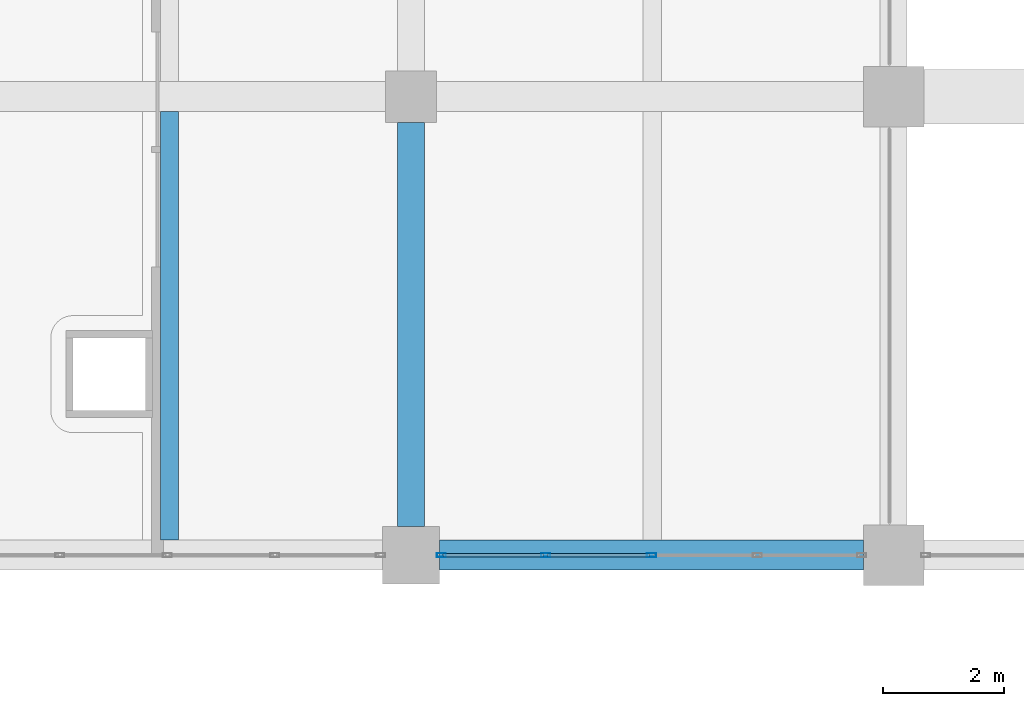
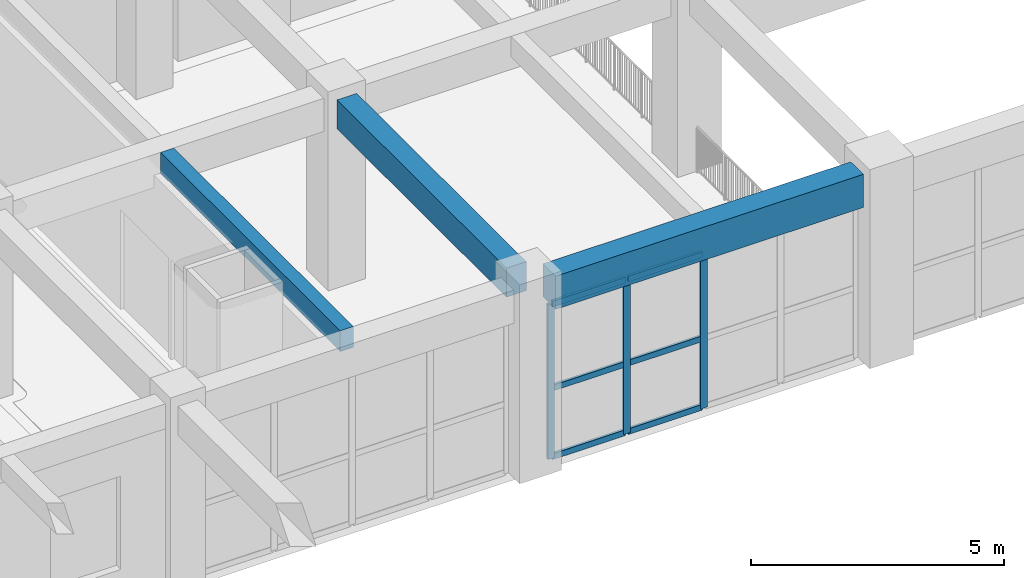
# One storey, part 8 of 101: 9 members, 3 beams, 1 element without a shape of its own.
"""IFC4 building model written with IfcOpenShell, lengths in metres."""

from ifc_helpers import new_model, si_unit, direction, frame, origin, origin_2d, place, context, subcontext, project, spatial, rectangle, hollow_rectangle, extrude, material, material_profile, profile_set, type_object, element, aggregate, save


model = new_model("IFC4")

# Units and contexts
model_context = context("Model", 3, precision=1e-05, world=origin(), true_north=direction((0.0, 1.0)))
body_context = subcontext(model_context, "Body", "Model", "MODEL_VIEW")
ifc_project = project(units=[si_unit("LENGTHUNIT", "METRE"), si_unit("AREAUNIT", "SQUARE_METRE"), si_unit("VOLUMEUNIT", "CUBIC_METRE"), si_unit("PLANEANGLEUNIT", "RADIAN"), si_unit("MASSUNIT", "GRAM", prefix="KILO")], contexts=[model_context])

# Site, building, storey
site_placement = place(None, origin())
site = spatial("IfcSite", under=ifc_project, at=site_placement, CompositionType="ELEMENT")
building_placement = place(site_placement, origin())
building = spatial("IfcBuilding", under=site, at=building_placement, Name="Zantavel Square City Hall", CompositionType="ELEMENT")
storey_placement = place(building_placement, frame((0.0, 0.0, 5.39990234375)))
storey = spatial("IfcBuildingStorey", under=building, at=storey_placement, Name="L02", CompositionType="ELEMENT", Elevation=5.39990234375)

# Curtain wall, members
ifc_material_1 = material(Name="Anodised aluminium 6063-T6", Category="aluminium")
curtain_wall_type = type_object("IfcCurtainWallType", Name="Curtain Wall TRV1 7025x3740", PredefinedType="USERDEFINED", material=ifc_material_1)
curtain_wall_placement = place(storey_placement, origin())
curtain_wall = element("IfcCurtainWall", 1, at=curtain_wall_placement, inside=storey, type_object=curtain_wall_type, Name="L02 Glazed Curtain Wall CW-L02-049", ObjectType="GLAZED CURTAIN WALL", PredefinedType="USERDEFINED")
ifc_material_profile_1 = material_profile(ifc_material_1, hollow_rectangle(XDim=0.06494140625, YDim=0.14990234375, WallThickness=0.00390625, at=origin_2d()), Name="ALU 65x150x4")
ifc_profile_set_1 = profile_set([ifc_material_profile_1], Name="Anodised aluminium 6063-T6")
member_type_1 = type_object("IfcMemberType", Name="CW Mullion ALU 65x150x4", PredefinedType="MULLION", material=ifc_profile_set_1)
member_1_placement = place(storey_placement, frame((67.987548828125, 30.39990234375, 0.0), z_axis=(0.0, 0.0, 1.0), x_axis=(0.0, -1.0, 0.0)))
member_1 = element("IfcMember", 2, at=member_1_placement, type_object=member_type_1, Name="CW-049 mullion 3", PredefinedType="MULLION", context=body_context, shape_type="SweptSolid", body=[
    extrude(hollow_rectangle(XDim=0.06494140625, YDim=0.14990234375, WallThickness=0.00390625, at=origin_2d()), origin(), (0.0, 0.0, 1.0), 3.739990234375),
])
member_2_placement = place(storey_placement, frame((66.231201171875, 30.39990234375, 0.0), z_axis=(0.0, 0.0, 1.0), x_axis=(0.0, -1.0, 0.0)))
member_2 = element("IfcMember", 3, at=member_2_placement, type_object=member_type_1, Name="CW-049 mullion 4", PredefinedType="MULLION", context=body_context, shape_type="SweptSolid", body=[
    extrude(hollow_rectangle(XDim=0.06494140625, YDim=0.14990234375, WallThickness=0.00390625, at=origin_2d()), origin(), (0.0, 0.0, 1.0), 3.739990234375),
])
member_3_placement = place(storey_placement, frame((64.5048828125, 30.39990234375, 0.0), z_axis=(0.0, 0.0, 1.0), x_axis=(0.0, -1.0, 0.0)))
member_3 = element("IfcMember", 4, at=member_3_placement, type_object=member_type_1, Name="CW-049 mullion 5", PredefinedType="MULLION", context=body_context, shape_type="SweptSolid", body=[
    extrude(hollow_rectangle(XDim=0.06494140625, YDim=0.14990234375, WallThickness=0.00390625, at=origin_2d()), origin(), (0.0, 0.0, 1.0), 3.739990234375),
])
ifc_material_profile_2 = material_profile(ifc_material_1, hollow_rectangle(XDim=0.06005859375, YDim=0.139892578125, WallThickness=0.00390625, at=origin_2d()), Name="ALU 60x140x4")
ifc_profile_set_2 = profile_set([ifc_material_profile_2], Name="Anodised aluminium 6063-T6")
member_type_2 = type_object("IfcMemberType", Name="CW Transom ALU 60x140x4", PredefinedType="USERDEFINED", material=ifc_profile_set_2)
member_4_placement = place(storey_placement, frame((67.95751953125, 30.39990234375, 0.030029296875), z_axis=(-1.0, 0.0, 0.0), x_axis=(0.0, -1.0, 0.0)))
member_4 = element("IfcMember", 5, at=member_4_placement, type_object=member_type_2, Name="CW-049 transom 3.1", ObjectType="TRANSOM", PredefinedType="USERDEFINED", context=body_context, shape_type="SweptSolid", body=[
    extrude(hollow_rectangle(XDim=0.06005859375, YDim=0.139892578125, WallThickness=0.00390625, at=origin_2d()), origin(), (0.0, 0.0, 1.0), 1.6962890625),
])
member_5_placement = place(storey_placement, frame((67.95751953125, 30.39990234375, 1.68310546875), z_axis=(-1.0, 0.0, 0.0), x_axis=(0.0, -1.0, 0.0)))
member_5 = element("IfcMember", 6, at=member_5_placement, type_object=member_type_2, Name="CW-049 transom 3.2", ObjectType="TRANSOM", PredefinedType="USERDEFINED", context=body_context, shape_type="SweptSolid", body=[
    extrude(hollow_rectangle(XDim=0.06005859375, YDim=0.139892578125, WallThickness=0.00390625, at=origin_2d()), origin(), (0.0, 0.0, 1.0), 1.6962890625),
])
member_6_placement = place(storey_placement, frame((67.95751953125, 30.39990234375, 3.710205078125), z_axis=(-1.0, 0.0, 0.0), x_axis=(0.0, -1.0, 0.0)))
member_6 = element("IfcMember", 7, at=member_6_placement, type_object=member_type_2, Name="CW-049 transom 3.3", ObjectType="TRANSOM", PredefinedType="USERDEFINED", context=body_context, shape_type="SweptSolid", body=[
    extrude(hollow_rectangle(XDim=0.06005859375, YDim=0.139892578125, WallThickness=0.00390625, at=origin_2d()), origin(), (0.0, 0.0, 1.0), 1.6962890625),
])
member_7_placement = place(storey_placement, frame((66.201171875, 30.39990234375, 0.030029296875), z_axis=(-1.0, 0.0, 0.0), x_axis=(0.0, -1.0, 0.0)))
member_7 = element("IfcMember", 8, at=member_7_placement, type_object=member_type_2, Name="CW-049 transom 4.1", ObjectType="TRANSOM", PredefinedType="USERDEFINED", context=body_context, shape_type="SweptSolid", body=[
    extrude(hollow_rectangle(XDim=0.06005859375, YDim=0.139892578125, WallThickness=0.00390625, at=origin_2d()), origin(), (0.0, 0.0, 1.0), 1.666259765625),
])
member_8_placement = place(storey_placement, frame((66.201171875, 30.39990234375, 1.68310546875), z_axis=(-1.0, 0.0, 0.0), x_axis=(0.0, -1.0, 0.0)))
member_8 = element("IfcMember", 9, at=member_8_placement, type_object=member_type_2, Name="CW-049 transom 4.2", ObjectType="TRANSOM", PredefinedType="USERDEFINED", context=body_context, shape_type="SweptSolid", body=[
    extrude(hollow_rectangle(XDim=0.06005859375, YDim=0.139892578125, WallThickness=0.00390625, at=origin_2d()), origin(), (0.0, 0.0, 1.0), 1.666259765625),
])
member_9_placement = place(storey_placement, frame((66.201171875, 30.39990234375, 3.710205078125), z_axis=(-1.0, 0.0, 0.0), x_axis=(0.0, -1.0, 0.0)))
member_9 = element("IfcMember", 10, at=member_9_placement, type_object=member_type_2, Name="CW-049 transom 4.3", ObjectType="TRANSOM", PredefinedType="USERDEFINED", context=body_context, shape_type="SweptSolid", body=[
    extrude(hollow_rectangle(XDim=0.06005859375, YDim=0.139892578125, WallThickness=0.00390625, at=origin_2d()), origin(), (0.0, 0.0, 1.0), 1.666259765625),
])
aggregate(curtain_wall, [member_1, member_2, member_3, member_4, member_5, member_6, member_7, member_8, member_9])

# Beams
ifc_material_2 = material(Name="Concrete C35/45", Category="concrete")
ifc_material_profile_3 = material_profile(ifc_material_2, rectangle(XDim=0.300048828125, YDim=0.5, at=origin_2d()), Name="RC 300x500")
ifc_profile_set_3 = profile_set([ifc_material_profile_3], Name="Concrete C35/45")
beam_type_1 = type_object("IfcBeamType", Name="Floor Joist RC 300x500 C35/45", PredefinedType="JOIST", material=ifc_profile_set_3)
beam_1_placement = place(storey_placement, frame((60.0, 30.64990234375, 4.2900390625), z_axis=(0.0, 1.0, 0.0), x_axis=(-1.0, 0.0, 0.0)))
element("IfcBeam", 11, at=beam_1_placement, inside=storey, type_object=beam_type_1, Name="L02 Floor Joist JST-L02-0600-0304", PredefinedType="JOIST", context=body_context, shape_type="SweptSolid", body=[
    extrude(rectangle(XDim=0.300048828125, YDim=0.5, at=origin_2d()), origin(), (0.0, 0.0, 1.0), 7.10009765625),
])
ifc_material_profile_4 = material_profile(ifc_material_2, rectangle(XDim=0.449951171875, YDim=0.699951171875, at=origin_2d()), Name="RC 450x700")
ifc_profile_set_4 = profile_set([ifc_material_profile_4], Name="Concrete C35/45")
beam_type_2 = type_object("IfcBeamType", Name="Primary Girder RC 450x700 C35/45", PredefinedType="BEAM", material=ifc_profile_set_4)
beam_2_placement = place(storey_placement, frame((64.0, 30.875, 4.190185546875), z_axis=(0.0, 1.0, 0.0), x_axis=(-1.0, 0.0, 0.0)))
element("IfcBeam", 12, at=beam_2_placement, inside=storey, type_object=beam_type_2, Name="L02 Beam BMY-L02-0640-0304", PredefinedType="BEAM", context=body_context, shape_type="SweptSolid", body=[
    extrude(rectangle(XDim=0.449951171875, YDim=0.699951171875, at=origin_2d()), origin(), (0.0, 0.0, 1.0), 6.699951171875),
])
ifc_material_profile_5 = material_profile(ifc_material_2, rectangle(XDim=0.5, YDim=0.800048828125, at=origin_2d()), Name="RC 500x800")
ifc_profile_set_5 = profile_set([ifc_material_profile_5], Name="Concrete C35/45")
beam_type_3 = type_object("IfcBeamType", Name="Primary Girder RC 500x800 C35/45", PredefinedType="BEAM", material=ifc_profile_set_5)
beam_3_placement = place(storey_placement, frame((64.47509765625, 30.39990234375, 4.14013671875), z_axis=(1.0, 0.0, 0.0), x_axis=(0.0, 1.0, 0.0)))
element("IfcBeam", 13, at=beam_3_placement, inside=storey, type_object=beam_type_3, Name="L02 Girder BMX-L02-0640-0304", PredefinedType="BEAM", context=body_context, shape_type="SweptSolid", body=[
    extrude(rectangle(XDim=0.5, YDim=0.800048828125, at=origin_2d()), origin(), (0.0, 0.0, 1.0), 7.02490234375),
])

save(model, "model.ifc")
